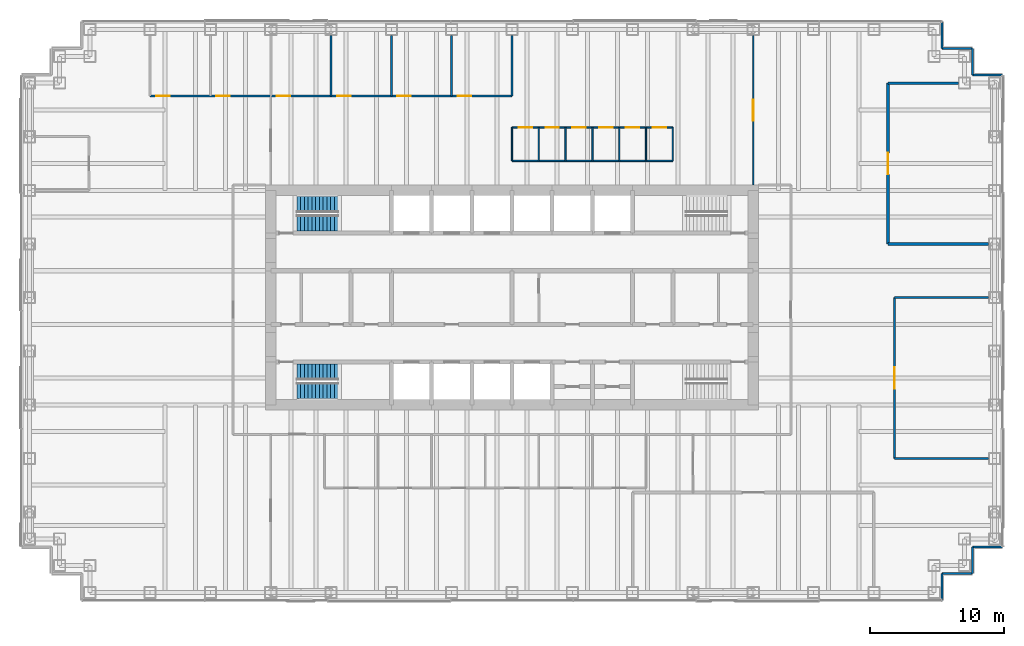
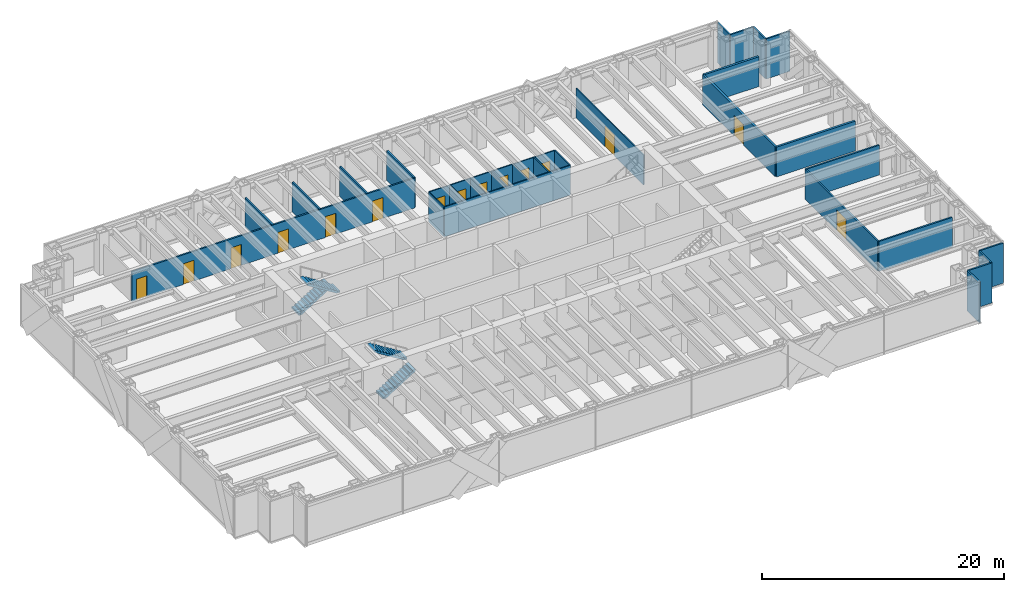
# One storey, part 13 of 15: 29 walls, 15 doors, 4 stair flights, 15 openings, 2 elements without a shape of their own.
"""IFC4 building model written with IfcOpenShell, lengths in metres."""

import ifcopenshell
import ifcopenshell.guid

model = None  # the IFC model being written
_history = None  # IfcOwnerHistory: only IFC2X3 demands one
_inside = {}  # id of a spatial element -> (the spatial element, [elements in it])
_under = {}  # id of a project, library or spatial element -> (it, [spatial elements below it])
_declared = {}  # id of a project -> (the project, [libraries it declares])
_typed = {}  # id of a type object -> (the type object, [elements of that type])
_made_of = {}  # id of a material, layer set ... -> (it, [elements and type objects made of it])


def new_model(schema):
    """Start an empty IFC model of exactly this schema.

    Asked for "IFC4X3", IfcOpenShell would pick the latest addendum, in which some entities
    have other attributes; the version numbers below select the first issue.
    IFC2X3 requires an IfcOwnerHistory on every rooted entity: one is made here for all.
    """
    global model, _history
    if schema == "IFC4X3":
        model = ifcopenshell.file(schema_version=(4, 3, 0, 0))
    else:
        model = ifcopenshell.file(schema=schema)
    _inside.clear()
    _under.clear()
    _declared.clear()
    _typed.clear()
    _made_of.clear()
    _history = None
    if model.schema == "IFC2X3":
        org = make("IfcOrganization", Name="unknown")
        user = make(
            "IfcPersonAndOrganization",
            ThePerson=make("IfcPerson", FamilyName="unknown"),
            TheOrganization=org,
        )
        app = make(
            "IfcApplication",
            ApplicationDeveloper=org,
            Version="unknown",
            ApplicationFullName="unknown",
            ApplicationIdentifier="unknown",
        )
        _history = make(
            "IfcOwnerHistory",
            OwningUser=user,
            OwningApplication=app,
            ChangeAction="ADDED",
            CreationDate=0,
        )
    return model


def make(cls, **values):
    """One entity of the class cls with the attributes given. An attribute that is None is left unset."""
    return model.create_entity(
        cls, **{name: value for name, value in values.items() if value is not None}
    )


def rooted(cls, **values):
    """An entity with a GlobalId (a new one), such as an element, a storey or a relation."""
    return make(cls, GlobalId=ifcopenshell.guid.new(), OwnerHistory=_history, **values)


def si_unit(unit_type, name, prefix=None):
    """IfcSIUnit, for example si_unit("LENGTHUNIT", "METRE", prefix="MILLI")."""
    return make("IfcSIUnit", UnitType=unit_type, Prefix=prefix, Name=name)


def assignment(units):
    """IfcUnitAssignment: the units of a project."""
    return None if units is None else make("IfcUnitAssignment", Units=units)


def point(xyz):
    """IfcCartesianPoint."""
    return None if xyz is None else make("IfcCartesianPoint", Coordinates=xyz)


def direction(xyz):
    """IfcDirection."""
    return None if xyz is None else make("IfcDirection", DirectionRatios=xyz)


def frame(location, z_axis=None, x_axis=None):
    """IfcAxis2Placement3D, a coordinate frame: its origin and axes. An axis left out is left unset."""
    return make(
        "IfcAxis2Placement3D",
        Location=point(location),
        Axis=direction(z_axis),
        RefDirection=direction(x_axis),
    )


def frame_2d(location, x_axis=None):
    """IfcAxis2Placement2D, a coordinate frame in the plane: its origin and x axis."""
    return make(
        "IfcAxis2Placement2D", Location=point(location), RefDirection=direction(x_axis)
    )


def origin():
    """The frame at (0, 0, 0) with its axes left unset."""
    return frame((0.0, 0.0, 0.0))


def place(relative_to, where):
    """IfcLocalPlacement: puts the frame where relative to a parent placement (None: the world)."""
    return make(
        "IfcLocalPlacement", PlacementRelTo=relative_to, RelativePlacement=where
    )


def context(
    kind, dimensions, precision=None, world=None, true_north=None, identifier=None
):
    """IfcGeometricRepresentationContext, for example the 3D "Model" context."""
    return make(
        "IfcGeometricRepresentationContext",
        ContextIdentifier=identifier,
        ContextType=kind,
        CoordinateSpaceDimension=dimensions,
        Precision=precision,
        WorldCoordinateSystem=world,
        TrueNorth=true_north,
    )


def subcontext(parent, identifier, kind, view, scale=None):
    """IfcGeometricRepresentationSubContext, for example "Body" below "Model"."""
    return make(
        "IfcGeometricRepresentationSubContext",
        ContextIdentifier=identifier,
        ContextType=kind,
        ParentContext=parent,
        TargetScale=scale,
        TargetView=view,
    )


def project(units=None, contexts=None):
    """IfcProject with its units and contexts."""
    return rooted(
        "IfcProject",
        Name="project",
        RepresentationContexts=contexts,
        UnitsInContext=assignment(units),
    )


def spatial(cls, under=None, at=None, **own):
    """A site, building, storey or space (cls), placed at a placement, below another one or the project."""
    s = rooted(cls, ObjectPlacement=at, **own)
    if under is not None:
        _under.setdefault(under.id(), (under, []))[1].append(s)
    return s


def polyline(points):
    """IfcPolyline through the points."""
    return make("IfcPolyline", Points=[point(p) for p in points])


def profile(cls, at=None, kind="AREA", **sizes):
    """A parametric profile (cls). Its sizes go by their IFC names, for example OverallWidth=200.0."""
    return make(cls, ProfileType=kind, Position=at, **sizes)


def rectangle(**sizes):
    """IfcRectangleProfileDef."""
    return profile("IfcRectangleProfileDef", **sizes)


def outline(outer, holes=None, kind="AREA"):
    """IfcArbitraryClosedProfileDef: a profile drawn as a closed curve; with holes, ...WithVoids."""
    if holes is None:
        return make("IfcArbitraryClosedProfileDef", ProfileType=kind, OuterCurve=outer)
    return make(
        "IfcArbitraryProfileDefWithVoids",
        ProfileType=kind,
        OuterCurve=outer,
        InnerCurves=holes,
    )


def extrude(swept, where, along, depth):
    """IfcExtrudedAreaSolid: the profile swept, set in the frame where, extruded along a direction by depth."""
    return make(
        "IfcExtrudedAreaSolid",
        SweptArea=swept,
        Position=where,
        ExtrudedDirection=direction(along),
        Depth=depth,
    )


def shape(context_of_items, identifier, shape_type, items):
    """IfcShapeRepresentation: the items that make up one representation, for example the "Body"."""
    return make(
        "IfcShapeRepresentation",
        ContextOfItems=context_of_items,
        RepresentationIdentifier=identifier,
        RepresentationType=shape_type,
        Items=items,
    )


def material(Name=None, Category=None):
    """IfcMaterial."""
    return make("IfcMaterial", Name=Name, Category=Category)


def layer(
    of_material, thickness, ventilated=None, Name=None, Category=None, Priority=None
):
    """IfcMaterialLayer: one layer of a wall or slab, of a material (None: an air gap)."""
    return make(
        "IfcMaterialLayer",
        Material=of_material,
        LayerThickness=thickness,
        IsVentilated=ventilated,
        Name=Name,
        Category=Category,
        Priority=Priority,
    )


def layer_set(layers, Name=None):
    """IfcMaterialLayerSet."""
    return make("IfcMaterialLayerSet", MaterialLayers=layers, LayerSetName=Name)


def made_of(thing, what):
    """Note that an element or type object is made of a material, layer set ...; save() writes the relation."""
    if what is not None:
        _made_of.setdefault(what.id(), (what, []))[1].append(thing)
    return thing


def type_object(cls, material=None, **own):
    """A type object (cls), such as IfcWallType, which elements share."""
    return made_of(rooted(cls, **own), material)


def element(
    cls,
    number,
    at=None,
    inside=None,
    cuts=None,
    type_object=None,
    material=None,
    context=None,
    identifier="Body",
    shape_type=None,
    held_by="IfcProductDefinitionShape",
    body=None,
    shapes=None,
    **own,
):
    """One element of the class cls, such as IfcWall. Its Tag is "e" and its number.

    at: its placement. inside: the storey or other place that contains it. cuts: it is an
    opening in that element (IfcRelVoidsElement). A single representation is given by context,
    identifier, shape_type and body (its items); several are given by shapes. held_by: the class
    of the entity that holds the representations. save() writes the other relations.
    """
    e = rooted(cls, Tag="e%d" % number, ObjectPlacement=at, **own)
    if body is not None:
        shapes = [shape(context, identifier, shape_type, body)]
    if shapes is not None:
        e.Representation = make(held_by, Representations=shapes)
    if inside is not None:
        _inside.setdefault(inside.id(), (inside, []))[1].append(e)
    if cuts is not None:
        rooted(
            "IfcRelVoidsElement", RelatingBuildingElement=cuts, RelatedOpeningElement=e
        )
    if type_object is not None:
        _typed.setdefault(type_object.id(), (type_object, []))[1].append(e)
    return made_of(e, material)


def fill(opening, filler):
    """IfcRelFillsElement: the door or window that sits in an opening."""
    return rooted(
        "IfcRelFillsElement",
        RelatingOpeningElement=opening,
        RelatedBuildingElement=filler,
    )


def aggregate(whole, parts):
    """IfcRelAggregates: a whole, such as a stair, and the parts it consists of."""
    return rooted("IfcRelAggregates", RelatingObject=whole, RelatedObjects=parts)


def save(model, path):
    """Write the relations noted so far, then the file.

    IfcRelAggregates (storeys below a building ...), IfcRelContainedInSpatialStructure (elements
    in a storey), IfcRelDefinesByType, IfcRelAssociatesMaterial and IfcRelDeclares: one each for
    every whole, place, type object, material and project.
    """
    for whole, parts in _under.values():
        aggregate(whole, parts)
    for where, things in _inside.values():
        rooted(
            "IfcRelContainedInSpatialStructure",
            RelatedElements=things,
            RelatingStructure=where,
        )
    for kind, things in _typed.values():
        rooted("IfcRelDefinesByType", RelatedObjects=things, RelatingType=kind)
    for what, things in _made_of.values():
        rooted("IfcRelAssociatesMaterial", RelatedObjects=things, RelatingMaterial=what)
    for by, libraries in _declared.values():
        rooted("IfcRelDeclares", RelatingContext=by, RelatedDefinitions=libraries)
    model.write(path)


model = new_model("IFC4")

# Units and contexts
model_context = context("Model", 3, precision=1e-05, world=origin(), true_north=direction((0.0, 1.0)))
body_context = subcontext(model_context, "Body", "Model", "MODEL_VIEW")
ifc_project = project(units=[si_unit("LENGTHUNIT", "METRE"), si_unit("AREAUNIT", "SQUARE_METRE"), si_unit("VOLUMEUNIT", "CUBIC_METRE"), si_unit("PLANEANGLEUNIT", "RADIAN"), si_unit("MASSUNIT", "GRAM", prefix="KILO")], contexts=[model_context])

# Site, building, storey
site_placement = place(None, origin())
site = spatial("IfcSite", under=ifc_project, at=site_placement, CompositionType="ELEMENT")
building_placement = place(site_placement, origin())
building = spatial("IfcBuilding", under=site, at=building_placement, Name="Rheinbord Bourse Tower", CompositionType="ELEMENT")
storey_placement = place(building_placement, frame((0.0, 0.0, 257.199951171875)))
storey = spatial("IfcBuildingStorey", under=building, at=storey_placement, Name="L58", CompositionType="ELEMENT", Elevation=257.199951171875)

# Walls
ifc_material_1 = material(Name="Acoustic gypsum board partition", Category="gypsum board")
ifc_layer_1 = layer(ifc_material_1, 0.199951171875)
ifc_layer_set_1 = layer_set([ifc_layer_1], Name="ACOUSTIC PARTITION 200")
wall_type_1 = type_object("IfcWallType", Name="ACOUSTIC PARTITION 200", PredefinedType="PARTITIONING", material=ifc_layer_set_1)
wall_1_placement = place(storey_placement, frame((64.050048828125, 28.0, 0.0), z_axis=(0.0, 0.0, 1.0), x_axis=(1.0, 0.0, 0.0)))
element("IfcWall", 1, at=wall_1_placement, inside=storey, type_object=wall_type_1, Name="Partition L58-06", PredefinedType="PARTITIONING", context=body_context, shape_type="SweptSolid", body=[
    extrude(rectangle(XDim=7.5, YDim=0.199951171875, at=frame_2d((3.75, 0.0))), origin(), (0.0, 0.0, 1.0), 3.0),
])
wall_2_placement = place(storey_placement, frame((64.050048828125, 40.0, 0.0), z_axis=(0.0, 0.0, 1.0), x_axis=(1.0, 0.0, 0.0)))
element("IfcWall", 2, at=wall_2_placement, inside=storey, type_object=wall_type_1, Name="Partition L58-14", PredefinedType="PARTITIONING", context=body_context, shape_type="SweptSolid", body=[
    extrude(rectangle(XDim=5.25, YDim=0.199951171875, at=frame_2d((2.625, 0.0))), origin(), (0.0, 0.0, 1.0), 3.0),
])

# Wall, opening, door
wall_3_placement = place(storey_placement, frame((64.050048828125, 28.0, 0.0), z_axis=(0.0, 0.0, 1.0), x_axis=(0.0, 1.0, 0.0)))
wall_3 = element("IfcWall", 3, at=wall_3_placement, inside=storey, type_object=wall_type_1, Name="Partition L58-45", PredefinedType="PARTITIONING", context=body_context, shape_type="SweptSolid", body=[
    extrude(rectangle(XDim=12.0, YDim=0.199951171875, at=frame_2d((6.0, 0.0))), origin(), (0.0, 0.0, 1.0), 3.0),
])
opening_1_placement = place(wall_3_placement, frame((5.199951171875, 0.0, 0.0)))
opening_1 = element("IfcOpeningElement", 4, at=opening_1_placement, cuts=wall_3, Name="Opening 58D10", PredefinedType="OPENING", context=body_context, shape_type="SweptSolid", body=[
    extrude(rectangle(XDim=1.60009765625, YDim=2.10009765625, at=frame_2d((0.800048828125, 1.050048828125))), frame((0.0, 0.10986328125, 0.0), z_axis=(0.0, -1.0, 0.0), x_axis=(1.0, 0.0, 0.0)), (0.0, 0.0, 1.0), 0.219970703125),
])
ifc_material_2 = material(Name="Timber door", Category="wood")
door_type_1 = type_object("IfcDoorType", Name="DOUBLE ROOM DOOR 1600", OperationType="DOUBLE_DOOR_DOUBLE_SWING", PredefinedType="DOOR", material=ifc_material_2)
door_1_placement = place(opening_1_placement, origin())
door_1 = element("IfcDoor", 5, at=door_1_placement, inside=storey, type_object=door_type_1, Name="Conference room door L58", OperationType="SINGLE_SWING_LEFT", OverallHeight=2.10009765625, OverallWidth=1.60009765625, PredefinedType="DOOR", context=body_context, shape_type="SweptSolid", body=[
    extrude(rectangle(XDim=1.60009765625, YDim=2.10009765625, at=frame_2d((0.800048828125, 1.050048828125))), frame((0.0, 0.02490234375, 0.0), z_axis=(0.0, -1.0, 0.0), x_axis=(1.0, 0.0, 0.0)), (0.0, 0.0, 1.0), 0.050048828125),
])
fill(opening_1, door_1)

# Walls
ifc_material_3 = material(Name="Black metal rainscreen panel", Category="aluminium")
ifc_layer_2 = layer(ifc_material_3, 0.14990234375)
ifc_layer_set_2 = layer_set([ifc_layer_2], Name="CORNER PIER CLADDING 150")
wall_type_2 = type_object("IfcWallType", Name="CORNER PIER CLADDING 150", PredefinedType="ELEMENTEDWALL", material=ifc_layer_set_2)
wall_4_placement = place(storey_placement, frame((68.10009765625, 1.39990234375, 0.0), z_axis=(0.0, 0.0, 1.0), x_axis=(0.0, 1.0, 0.0)))
element("IfcWall", 6, at=wall_4_placement, inside=storey, type_object=wall_type_2, Name="Corner pier cladding L58 2", PredefinedType="ELEMENTEDWALL", context=body_context, shape_type="SweptSolid", body=[
    extrude(rectangle(XDim=2.0, YDim=0.14990234375, at=frame_2d((1.0, 0.0))), origin(), (0.0, 0.0, 1.0), 4.0400390625),
])
wall_5_placement = place(storey_placement, frame((68.10009765625, 3.39990234375, 0.0), z_axis=(0.0, 0.0, 1.0), x_axis=(1.0, 0.0, 0.0)))
element("IfcWall", 7, at=wall_5_placement, inside=storey, type_object=wall_type_2, Name="Corner pier cladding L58 3", PredefinedType="ELEMENTEDWALL", context=body_context, shape_type="SweptSolid", body=[
    extrude(rectangle(XDim=2.25, YDim=0.14990234375, at=frame_2d((1.125, 0.0))), origin(), (0.0, 0.0, 1.0), 4.0400390625),
])
wall_6_placement = place(storey_placement, frame((70.35009765625, 3.39990234375, 0.0), z_axis=(0.0, 0.0, 1.0), x_axis=(0.0, 1.0, 0.0)))
element("IfcWall", 8, at=wall_6_placement, inside=storey, type_object=wall_type_2, Name="Corner pier cladding L58 4", PredefinedType="ELEMENTEDWALL", context=body_context, shape_type="SweptSolid", body=[
    extrude(rectangle(XDim=2.0, YDim=0.14990234375, at=frame_2d((1.0, 0.0))), origin(), (0.0, 0.0, 1.0), 4.0400390625),
])
for number, where, z_axis, x_axis, name in (
    (9, (70.35009765625, 5.39990234375, 0.0), (0.0, 0.0, 1.0), (1.0, 0.0, 0.0), "Corner pier cladding L58 5"),
    (10, (72.60009765625, 40.60009765625, 0.0), (0.0, 0.0, 1.0), (-1.0, 0.0, 0.0), "Corner pier cladding L58 7"),
):
    element("IfcWall", number, at=place(storey_placement, frame(where, z_axis=z_axis, x_axis=x_axis)), inside=storey, type_object=wall_type_2, Name=name, PredefinedType="ELEMENTEDWALL", context=body_context, shape_type="SweptSolid", body=[
        extrude(rectangle(XDim=2.25, YDim=0.14990234375, at=frame_2d((1.125, 0.0))), origin(), (0.0, 0.0, 1.0), 4.0400390625),
    ])
wall_7_placement = place(storey_placement, frame((70.35009765625, 40.60009765625, 0.0), z_axis=(0.0, 0.0, 1.0), x_axis=(0.0, 1.0, 0.0)))
element("IfcWall", 11, at=wall_7_placement, inside=storey, type_object=wall_type_2, Name="Corner pier cladding L58 8", PredefinedType="ELEMENTEDWALL", context=body_context, shape_type="SweptSolid", body=[
    extrude(rectangle(XDim=2.0, YDim=0.14990234375, at=frame_2d((1.0, 0.0))), origin(), (0.0, 0.0, 1.0), 4.0400390625),
])
wall_8_placement = place(storey_placement, frame((70.35009765625, 42.60009765625, 0.0), z_axis=(0.0, 0.0, 1.0), x_axis=(-1.0, 0.0, 0.0)))
element("IfcWall", 12, at=wall_8_placement, inside=storey, type_object=wall_type_2, Name="Corner pier cladding L58 9", PredefinedType="ELEMENTEDWALL", context=body_context, shape_type="SweptSolid", body=[
    extrude(rectangle(XDim=2.25, YDim=0.14990234375, at=frame_2d((1.125, 0.0))), origin(), (0.0, 0.0, 1.0), 4.0400390625),
])
wall_9_placement = place(storey_placement, frame((68.10009765625, 42.60009765625, 0.0), z_axis=(0.0, 0.0, 1.0), x_axis=(0.0, 1.0, 0.0)))
element("IfcWall", 13, at=wall_9_placement, inside=storey, type_object=wall_type_2, Name="Corner pier cladding L58 10", PredefinedType="ELEMENTEDWALL", context=body_context, shape_type="SweptSolid", body=[
    extrude(rectangle(XDim=2.0, YDim=0.14990234375, at=frame_2d((1.0, 0.0))), origin(), (0.0, 0.0, 1.0), 4.0400390625),
])
ifc_material_4 = material(Name="Toughened laminated glass partition", Category="glass")
ifc_layer_3 = layer(ifc_material_4, 0.10009765625)
ifc_layer_set_3 = layer_set([ifc_layer_3], Name="GLAZED PARTITION 100")
wall_type_3 = type_object("IfcWallType", Name="GLAZED PARTITION 100", PredefinedType="PARTITIONING", material=ifc_layer_set_3)
wall_10_placement = place(storey_placement, frame((36.0, 34.199951171875, 0.0), z_axis=(0.0, 0.0, 1.0), x_axis=(1.0, 0.0, 0.0)))
element("IfcWall", 14, at=wall_10_placement, inside=storey, type_object=wall_type_3, Name="Partition L58-10", PredefinedType="PARTITIONING", context=body_context, shape_type="SweptSolid", body=[
    extrude(rectangle(XDim=12.0, YDim=0.10009765625, at=frame_2d((6.0, 0.0))), origin(), (0.0, 0.0, 1.0), 3.0),
])

# Wall, openings, doors
wall_11_placement = place(storey_placement, frame((36.0, 36.699951171875, 0.0), z_axis=(0.0, 0.0, 1.0), x_axis=(1.0, 0.0, 0.0)))
wall_11 = element("IfcWall", 15, at=wall_11_placement, inside=storey, type_object=wall_type_3, Name="Partition L58-12", PredefinedType="PARTITIONING", context=body_context, shape_type="SweptSolid", body=[
    extrude(rectangle(XDim=12.0, YDim=0.10009765625, at=frame_2d((6.0, 0.0))), origin(), (0.0, 0.0, 1.0), 3.0),
])
opening_2_placement = place(wall_11_placement, frame((0.5, 0.0, 0.0)))
opening_2 = element("IfcOpeningElement", 16, at=opening_2_placement, cuts=wall_11, Name="Opening 58D11", PredefinedType="OPENING", context=body_context, shape_type="SweptSolid", body=[
    extrude(rectangle(XDim=1.0, YDim=2.10009765625, at=frame_2d((0.5, 1.050048828125))), frame((0.0, 0.06005859375, 0.0), z_axis=(0.0, -1.0, 0.0), x_axis=(1.0, 0.0, 0.0)), (0.0, 0.0, 1.0), 0.1201171875),
])
opening_3_placement = place(wall_11_placement, frame((2.5, 0.0, 0.0)))
opening_3 = element("IfcOpeningElement", 17, at=opening_3_placement, cuts=wall_11, Name="Opening 58D12", PredefinedType="OPENING", context=body_context, shape_type="SweptSolid", body=[
    extrude(rectangle(XDim=1.0, YDim=2.10009765625, at=frame_2d((0.5, 1.050048828125))), frame((0.0, 0.06005859375, 0.0), z_axis=(0.0, -1.0, 0.0), x_axis=(1.0, 0.0, 0.0)), (0.0, 0.0, 1.0), 0.1201171875),
])
opening_4_placement = place(wall_11_placement, frame((4.5, 0.0, 0.0)))
opening_4 = element("IfcOpeningElement", 18, at=opening_4_placement, cuts=wall_11, Name="Opening 58D13", PredefinedType="OPENING", context=body_context, shape_type="SweptSolid", body=[
    extrude(rectangle(XDim=1.0, YDim=2.10009765625, at=frame_2d((0.5, 1.050048828125))), frame((0.0, 0.06005859375, 0.0), z_axis=(0.0, -1.0, 0.0), x_axis=(1.0, 0.0, 0.0)), (0.0, 0.0, 1.0), 0.1201171875),
])
opening_5_placement = place(wall_11_placement, frame((6.5, 0.0, 0.0)))
opening_5 = element("IfcOpeningElement", 19, at=opening_5_placement, cuts=wall_11, Name="Opening 58D14", PredefinedType="OPENING", context=body_context, shape_type="SweptSolid", body=[
    extrude(rectangle(XDim=1.0, YDim=2.10009765625, at=frame_2d((0.5, 1.050048828125))), frame((0.0, 0.06005859375, 0.0), z_axis=(0.0, -1.0, 0.0), x_axis=(1.0, 0.0, 0.0)), (0.0, 0.0, 1.0), 0.1201171875),
])
opening_6_placement = place(wall_11_placement, frame((8.5, 0.0, 0.0)))
opening_6 = element("IfcOpeningElement", 20, at=opening_6_placement, cuts=wall_11, Name="Opening 58D15", PredefinedType="OPENING", context=body_context, shape_type="SweptSolid", body=[
    extrude(rectangle(XDim=1.0, YDim=2.10009765625, at=frame_2d((0.5, 1.050048828125))), frame((0.0, 0.06005859375, 0.0), z_axis=(0.0, -1.0, 0.0), x_axis=(1.0, 0.0, 0.0)), (0.0, 0.0, 1.0), 0.1201171875),
])
opening_7_placement = place(wall_11_placement, frame((10.5, 0.0, 0.0)))
opening_7 = element("IfcOpeningElement", 21, at=opening_7_placement, cuts=wall_11, Name="Opening 58D16", PredefinedType="OPENING", context=body_context, shape_type="SweptSolid", body=[
    extrude(rectangle(XDim=1.0, YDim=2.10009765625, at=frame_2d((0.5, 1.050048828125))), frame((0.0, 0.06005859375, 0.0), z_axis=(0.0, -1.0, 0.0), x_axis=(1.0, 0.0, 0.0)), (0.0, 0.0, 1.0), 0.1201171875),
])
ifc_material_5 = material(Name="Timber door", Category="wood")
door_type_2 = type_object("IfcDoorType", Name="ROOM DOOR 1000", OperationType="SINGLE_SWING_LEFT", PredefinedType="DOOR", material=ifc_material_5)
door_2_placement = place(opening_2_placement, origin())
door_2 = element("IfcDoor", 22, at=door_2_placement, inside=storey, type_object=door_type_2, Name="Phone room door L58", OperationType="SINGLE_SWING_LEFT", OverallHeight=2.10009765625, OverallWidth=1.0, PredefinedType="DOOR", context=body_context, shape_type="SweptSolid", body=[
    extrude(rectangle(XDim=1.0, YDim=2.10009765625, at=frame_2d((0.5, 1.050048828125))), frame((0.0, 0.02490234375, 0.0), z_axis=(0.0, -1.0, 0.0), x_axis=(1.0, 0.0, 0.0)), (0.0, 0.0, 1.0), 0.050048828125),
])
fill(opening_2, door_2)
door_3_placement = place(opening_3_placement, origin())
door_3 = element("IfcDoor", 23, at=door_3_placement, inside=storey, type_object=door_type_2, Name="Phone room door L58", OperationType="SINGLE_SWING_LEFT", OverallHeight=2.10009765625, OverallWidth=1.0, PredefinedType="DOOR", context=body_context, shape_type="SweptSolid", body=[
    extrude(rectangle(XDim=1.0, YDim=2.10009765625, at=frame_2d((0.5, 1.050048828125))), frame((0.0, 0.02490234375, 0.0), z_axis=(0.0, -1.0, 0.0), x_axis=(1.0, 0.0, 0.0)), (0.0, 0.0, 1.0), 0.050048828125),
])
fill(opening_3, door_3)
door_4_placement = place(opening_4_placement, origin())
door_4 = element("IfcDoor", 24, at=door_4_placement, inside=storey, type_object=door_type_2, Name="Phone room door L58", OperationType="SINGLE_SWING_LEFT", OverallHeight=2.10009765625, OverallWidth=1.0, PredefinedType="DOOR", context=body_context, shape_type="SweptSolid", body=[
    extrude(rectangle(XDim=1.0, YDim=2.10009765625, at=frame_2d((0.5, 1.050048828125))), frame((0.0, 0.02490234375, 0.0), z_axis=(0.0, -1.0, 0.0), x_axis=(1.0, 0.0, 0.0)), (0.0, 0.0, 1.0), 0.050048828125),
])
fill(opening_4, door_4)
door_5_placement = place(opening_5_placement, origin())
door_5 = element("IfcDoor", 25, at=door_5_placement, inside=storey, type_object=door_type_2, Name="Phone room door L58", OperationType="SINGLE_SWING_RIGHT", OverallHeight=2.10009765625, OverallWidth=1.0, PredefinedType="DOOR", context=body_context, shape_type="SweptSolid", body=[
    extrude(rectangle(XDim=1.0, YDim=2.10009765625, at=frame_2d((0.5, 1.050048828125))), frame((0.0, 0.02490234375, 0.0), z_axis=(0.0, -1.0, 0.0), x_axis=(1.0, 0.0, 0.0)), (0.0, 0.0, 1.0), 0.050048828125),
])
fill(opening_5, door_5)
door_6_placement = place(opening_6_placement, origin())
door_6 = element("IfcDoor", 26, at=door_6_placement, inside=storey, type_object=door_type_2, Name="Phone room door L58", OperationType="SINGLE_SWING_RIGHT", OverallHeight=2.10009765625, OverallWidth=1.0, PredefinedType="DOOR", context=body_context, shape_type="SweptSolid", body=[
    extrude(rectangle(XDim=1.0, YDim=2.10009765625, at=frame_2d((0.5, 1.050048828125))), frame((0.0, 0.02490234375, 0.0), z_axis=(0.0, -1.0, 0.0), x_axis=(1.0, 0.0, 0.0)), (0.0, 0.0, 1.0), 0.050048828125),
])
fill(opening_6, door_6)
door_7_placement = place(opening_7_placement, origin())
door_7 = element("IfcDoor", 27, at=door_7_placement, inside=storey, type_object=door_type_2, Name="Phone room door L58", OperationType="SINGLE_SWING_RIGHT", OverallHeight=2.10009765625, OverallWidth=1.0, PredefinedType="DOOR", context=body_context, shape_type="SweptSolid", body=[
    extrude(rectangle(XDim=1.0, YDim=2.10009765625, at=frame_2d((0.5, 1.050048828125))), frame((0.0, 0.02490234375, 0.0), z_axis=(0.0, -1.0, 0.0), x_axis=(1.0, 0.0, 0.0)), (0.0, 0.0, 1.0), 0.050048828125),
])
fill(opening_7, door_7)

# Walls
for number, where, z_axis, x_axis, name in (
    (28, (36.0, 34.199951171875, 0.0), (0.0, 0.0, 1.0), (0.0, 1.0, 0.0), "Partition L58-29"),
    (29, (38.0, 34.199951171875, 0.0), (0.0, 0.0, 1.0), (0.0, 1.0, 0.0), "Partition L58-32"),
    (30, (40.0, 34.199951171875, 0.0), (0.0, 0.0, 1.0), (0.0, 1.0, 0.0), "Partition L58-33"),
    (31, (42.0, 34.199951171875, 0.0), (0.0, 0.0, 1.0), (0.0, 1.0, 0.0), "Partition L58-35"),
    (32, (44.0, 34.199951171875, 0.0), (0.0, 0.0, 1.0), (0.0, 1.0, 0.0), "Partition L58-36"),
    (33, (46.0, 34.199951171875, 0.0), (0.0, 0.0, 1.0), (0.0, 1.0, 0.0), "Partition L58-39"),
    (34, (48.0, 34.199951171875, 0.0), (0.0, 0.0, 1.0), (0.0, 1.0, 0.0), "Partition L58-40"),
):
    element("IfcWall", number, at=place(storey_placement, frame(where, z_axis=z_axis, x_axis=x_axis)), inside=storey, type_object=wall_type_3, Name=name, PredefinedType="PARTITIONING", context=body_context, shape_type="SweptSolid", body=[
        extrude(rectangle(XDim=2.5, YDim=0.10009765625, at=frame_2d((1.25, 0.0))), origin(), (0.0, 0.0, 1.0), 3.0),
    ])

# Wall, opening, door
wall_12_placement = place(storey_placement, frame((54.0, 32.39990234375, 0.0), z_axis=(0.0, 0.0, 1.0), x_axis=(0.0, 1.0, 0.0)))
wall_12 = element("IfcWall", 35, at=wall_12_placement, inside=storey, type_object=wall_type_3, Name="Partition L58-42", PredefinedType="PARTITIONING", context=body_context, shape_type="SweptSolid", body=[
    extrude(rectangle(XDim=11.150146484375, YDim=0.10009765625, at=frame_2d((5.5751953125, 0.0))), origin(), (0.0, 0.0, 1.0), 3.0),
])
opening_8_placement = place(wall_12_placement, frame((4.77490234375, 0.0, 0.0)))
opening_8 = element("IfcOpeningElement", 36, at=opening_8_placement, cuts=wall_12, Name="Opening 58D26", PredefinedType="OPENING", context=body_context, shape_type="SweptSolid", body=[
    extrude(rectangle(XDim=1.60009765625, YDim=2.10009765625, at=frame_2d((0.800048828125, 1.050048828125))), frame((0.0, 0.06005859375, 0.0), z_axis=(0.0, -1.0, 0.0), x_axis=(1.0, 0.0, 0.0)), (0.0, 0.0, 1.0), 0.1201171875),
])
door_8_placement = place(opening_8_placement, origin())
door_8 = element("IfcDoor", 37, at=door_8_placement, inside=storey, type_object=door_type_1, Name="Open area door L58", OperationType="SINGLE_SWING_LEFT", OverallHeight=2.10009765625, OverallWidth=1.60009765625, PredefinedType="DOOR", context=body_context, shape_type="SweptSolid", body=[
    extrude(rectangle(XDim=1.60009765625, YDim=2.10009765625, at=frame_2d((0.800048828125, 1.050048828125))), frame((0.0, 0.02490234375, 0.0), z_axis=(0.0, -1.0, 0.0), x_axis=(1.0, 0.0, 0.0)), (0.0, 0.0, 1.0), 0.050048828125),
])
fill(opening_8, door_8)

# Walls
ifc_material_6 = material(Name="Gypsum board partition", Category="gypsum board")
ifc_layer_4 = layer(ifc_material_6, 0.14990234375)
ifc_layer_set_4 = layer_set([ifc_layer_4], Name="PARTITION 150")
wall_type_4 = type_object("IfcWallType", Name="PARTITION 150", PredefinedType="PARTITIONING", material=ifc_layer_set_4)
for number, where, z_axis, x_axis, name in (
    (38, (64.550048828125, 12.0, 0.0), (0.0, 0.0, 1.0), (1.0, 0.0, 0.0), "Partition L58-03"),
    (39, (64.550048828125, 24.0, 0.0), (0.0, 0.0, 1.0), (1.0, 0.0, 0.0), "Partition L58-05"),
):
    element("IfcWall", number, at=place(storey_placement, frame(where, z_axis=z_axis, x_axis=x_axis)), inside=storey, type_object=wall_type_4, Name=name, PredefinedType="PARTITIONING", context=body_context, shape_type="SweptSolid", body=[
        extrude(rectangle(XDim=7.0, YDim=0.14990234375, at=frame_2d((3.5, 0.0))), origin(), (0.0, 0.0, 1.0), 3.0),
    ])

# Wall, openings, doors
wall_13_placement = place(storey_placement, frame((9.0, 39.050048828125, 0.0), z_axis=(0.0, 0.0, 1.0), x_axis=(1.0, 0.0, 0.0)))
wall_13 = element("IfcWall", 40, at=wall_13_placement, inside=storey, type_object=wall_type_4, Name="Partition L58-13", PredefinedType="PARTITIONING", context=body_context, shape_type="SweptSolid", body=[
    extrude(rectangle(XDim=27.0, YDim=0.14990234375, at=frame_2d((13.5, 0.0))), origin(), (0.0, 0.0, 1.0), 3.0),
])
opening_9_placement = place(wall_13_placement, frame((0.449951171875, 0.0, 0.0)))
opening_9 = element("IfcOpeningElement", 41, at=opening_9_placement, cuts=wall_13, Name="Opening 58D17", PredefinedType="OPENING", context=body_context, shape_type="SweptSolid", body=[
    extrude(rectangle(XDim=1.0, YDim=2.10009765625, at=frame_2d((0.5, 1.050048828125))), frame((0.0, 0.0849609375, 0.0), z_axis=(0.0, -1.0, 0.0), x_axis=(1.0, 0.0, 0.0)), (0.0, 0.0, 1.0), 0.169921875),
])
opening_10_placement = place(wall_13_placement, frame((4.949951171875, 0.0, 0.0)))
opening_10 = element("IfcOpeningElement", 42, at=opening_10_placement, cuts=wall_13, Name="Opening 58D18", PredefinedType="OPENING", context=body_context, shape_type="SweptSolid", body=[
    extrude(rectangle(XDim=1.0, YDim=2.10009765625, at=frame_2d((0.5, 1.050048828125))), frame((0.0, 0.0849609375, 0.0), z_axis=(0.0, -1.0, 0.0), x_axis=(1.0, 0.0, 0.0)), (0.0, 0.0, 1.0), 0.169921875),
])
opening_11_placement = place(wall_13_placement, frame((9.449951171875, 0.0, 0.0)))
opening_11 = element("IfcOpeningElement", 43, at=opening_11_placement, cuts=wall_13, Name="Opening 58D19", PredefinedType="OPENING", context=body_context, shape_type="SweptSolid", body=[
    extrude(rectangle(XDim=1.0, YDim=2.10009765625, at=frame_2d((0.5, 1.050048828125))), frame((0.0, 0.0849609375, 0.0), z_axis=(0.0, -1.0, 0.0), x_axis=(1.0, 0.0, 0.0)), (0.0, 0.0, 1.0), 0.169921875),
])
opening_12_placement = place(wall_13_placement, frame((13.949951171875, 0.0, 0.0)))
opening_12 = element("IfcOpeningElement", 44, at=opening_12_placement, cuts=wall_13, Name="Opening 58D20", PredefinedType="OPENING", context=body_context, shape_type="SweptSolid", body=[
    extrude(rectangle(XDim=1.0, YDim=2.10009765625, at=frame_2d((0.5, 1.050048828125))), frame((0.0, 0.0849609375, 0.0), z_axis=(0.0, -1.0, 0.0), x_axis=(1.0, 0.0, 0.0)), (0.0, 0.0, 1.0), 0.169921875),
])
opening_13_placement = place(wall_13_placement, frame((18.449951171875, 0.0, 0.0)))
opening_13 = element("IfcOpeningElement", 45, at=opening_13_placement, cuts=wall_13, Name="Opening 58D21", PredefinedType="OPENING", context=body_context, shape_type="SweptSolid", body=[
    extrude(rectangle(XDim=1.0, YDim=2.10009765625, at=frame_2d((0.5, 1.050048828125))), frame((0.0, 0.0849609375, 0.0), z_axis=(0.0, -1.0, 0.0), x_axis=(1.0, 0.0, 0.0)), (0.0, 0.0, 1.0), 0.169921875),
])
opening_14_placement = place(wall_13_placement, frame((22.949951171875, 0.0, 0.0)))
opening_14 = element("IfcOpeningElement", 46, at=opening_14_placement, cuts=wall_13, Name="Opening 58D22", PredefinedType="OPENING", context=body_context, shape_type="SweptSolid", body=[
    extrude(rectangle(XDim=1.0, YDim=2.10009765625, at=frame_2d((0.5, 1.050048828125))), frame((0.0, 0.0849609375, 0.0), z_axis=(0.0, -1.0, 0.0), x_axis=(1.0, 0.0, 0.0)), (0.0, 0.0, 1.0), 0.169921875),
])
door_9_placement = place(opening_9_placement, origin())
door_9 = element("IfcDoor", 47, at=door_9_placement, inside=storey, type_object=door_type_2, Name="Office door L58", OperationType="SINGLE_SWING_LEFT", OverallHeight=2.10009765625, OverallWidth=1.0, PredefinedType="DOOR", context=body_context, shape_type="SweptSolid", body=[
    extrude(rectangle(XDim=1.0, YDim=2.10009765625, at=frame_2d((0.5, 1.050048828125))), frame((0.0, 0.02490234375, 0.0), z_axis=(0.0, -1.0, 0.0), x_axis=(1.0, 0.0, 0.0)), (0.0, 0.0, 1.0), 0.050048828125),
])
fill(opening_9, door_9)
door_10_placement = place(opening_10_placement, origin())
door_10 = element("IfcDoor", 48, at=door_10_placement, inside=storey, type_object=door_type_2, Name="Office door L58", OperationType="SINGLE_SWING_LEFT", OverallHeight=2.10009765625, OverallWidth=1.0, PredefinedType="DOOR", context=body_context, shape_type="SweptSolid", body=[
    extrude(rectangle(XDim=1.0, YDim=2.10009765625, at=frame_2d((0.5, 1.050048828125))), frame((0.0, 0.02490234375, 0.0), z_axis=(0.0, -1.0, 0.0), x_axis=(1.0, 0.0, 0.0)), (0.0, 0.0, 1.0), 0.050048828125),
])
fill(opening_10, door_10)
door_11_placement = place(opening_11_placement, origin())
door_11 = element("IfcDoor", 49, at=door_11_placement, inside=storey, type_object=door_type_2, Name="Office door L58", OperationType="SINGLE_SWING_LEFT", OverallHeight=2.10009765625, OverallWidth=1.0, PredefinedType="DOOR", context=body_context, shape_type="SweptSolid", body=[
    extrude(rectangle(XDim=1.0, YDim=2.10009765625, at=frame_2d((0.5, 1.050048828125))), frame((0.0, 0.02490234375, 0.0), z_axis=(0.0, -1.0, 0.0), x_axis=(1.0, 0.0, 0.0)), (0.0, 0.0, 1.0), 0.050048828125),
])
fill(opening_11, door_11)
door_12_placement = place(opening_12_placement, origin())
door_12 = element("IfcDoor", 50, at=door_12_placement, inside=storey, type_object=door_type_2, Name="Office door L58", OperationType="SINGLE_SWING_RIGHT", OverallHeight=2.10009765625, OverallWidth=1.0, PredefinedType="DOOR", context=body_context, shape_type="SweptSolid", body=[
    extrude(rectangle(XDim=1.0, YDim=2.10009765625, at=frame_2d((0.5, 1.050048828125))), frame((0.0, 0.02490234375, 0.0), z_axis=(0.0, -1.0, 0.0), x_axis=(1.0, 0.0, 0.0)), (0.0, 0.0, 1.0), 0.050048828125),
])
fill(opening_12, door_12)
door_13_placement = place(opening_13_placement, origin())
door_13 = element("IfcDoor", 51, at=door_13_placement, inside=storey, type_object=door_type_2, Name="Office door L58", OperationType="SINGLE_SWING_RIGHT", OverallHeight=2.10009765625, OverallWidth=1.0, PredefinedType="DOOR", context=body_context, shape_type="SweptSolid", body=[
    extrude(rectangle(XDim=1.0, YDim=2.10009765625, at=frame_2d((0.5, 1.050048828125))), frame((0.0, 0.02490234375, 0.0), z_axis=(0.0, -1.0, 0.0), x_axis=(1.0, 0.0, 0.0)), (0.0, 0.0, 1.0), 0.050048828125),
])
fill(opening_13, door_13)
door_14_placement = place(opening_14_placement, origin())
door_14 = element("IfcDoor", 52, at=door_14_placement, inside=storey, type_object=door_type_2, Name="Office door L58", OperationType="SINGLE_SWING_RIGHT", OverallHeight=2.10009765625, OverallWidth=1.0, PredefinedType="DOOR", context=body_context, shape_type="SweptSolid", body=[
    extrude(rectangle(XDim=1.0, YDim=2.10009765625, at=frame_2d((0.5, 1.050048828125))), frame((0.0, 0.02490234375, 0.0), z_axis=(0.0, -1.0, 0.0), x_axis=(1.0, 0.0, 0.0)), (0.0, 0.0, 1.0), 0.050048828125),
])
fill(opening_14, door_14)

# Walls
for number, where, z_axis, x_axis, name in (
    (53, (22.5, 39.050048828125, 0.0), (0.0, 0.0, 1.0), (0.0, 1.0, 0.0), "Partition L58-23"),
    (54, (27.0, 39.050048828125, 0.0), (0.0, 0.0, 1.0), (0.0, 1.0, 0.0), "Partition L58-25"),
    (55, (31.5, 39.050048828125, 0.0), (0.0, 0.0, 1.0), (0.0, 1.0, 0.0), "Partition L58-27"),
    (56, (36.0, 39.050048828125, 0.0), (0.0, 0.0, 1.0), (0.0, 1.0, 0.0), "Partition L58-30"),
):
    element("IfcWall", number, at=place(storey_placement, frame(where, z_axis=z_axis, x_axis=x_axis)), inside=storey, type_object=wall_type_4, Name=name, PredefinedType="PARTITIONING", context=body_context, shape_type="SweptSolid", body=[
        extrude(rectangle(XDim=4.5, YDim=0.14990234375, at=frame_2d((2.25, 0.0))), origin(), (0.0, 0.0, 1.0), 3.0),
    ])

# Wall, opening, door
wall_14_placement = place(storey_placement, frame((64.550048828125, 12.0, 0.0), z_axis=(0.0, 0.0, 1.0), x_axis=(0.0, 1.0, 0.0)))
wall_14 = element("IfcWall", 57, at=wall_14_placement, inside=storey, type_object=wall_type_4, Name="Partition L58-46", PredefinedType="PARTITIONING", context=body_context, shape_type="SweptSolid", body=[
    extrude(rectangle(XDim=12.0, YDim=0.14990234375, at=frame_2d((6.0, 0.0))), origin(), (0.0, 0.0, 1.0), 3.0),
])
opening_15_placement = place(wall_14_placement, frame((5.199951171875, 0.0, 0.0)))
opening_15 = element("IfcOpeningElement", 58, at=opening_15_placement, cuts=wall_14, Name="Opening 58D08", PredefinedType="OPENING", context=body_context, shape_type="SweptSolid", body=[
    extrude(rectangle(XDim=1.60009765625, YDim=2.10009765625, at=frame_2d((0.800048828125, 1.050048828125))), frame((0.0, 0.0849609375, 0.0), z_axis=(0.0, -1.0, 0.0), x_axis=(1.0, 0.0, 0.0)), (0.0, 0.0, 1.0), 0.169921875),
])
door_15_placement = place(opening_15_placement, origin())
door_15 = element("IfcDoor", 59, at=door_15_placement, inside=storey, type_object=door_type_1, Name="Kitchen door L58", OperationType="SINGLE_SWING_LEFT", OverallHeight=2.10009765625, OverallWidth=1.60009765625, PredefinedType="DOOR", context=body_context, shape_type="SweptSolid", body=[
    extrude(rectangle(XDim=1.60009765625, YDim=2.10009765625, at=frame_2d((0.800048828125, 1.050048828125))), frame((0.0, 0.02490234375, 0.0), z_axis=(0.0, -1.0, 0.0), x_axis=(1.0, 0.0, 0.0)), (0.0, 0.0, 1.0), 0.050048828125),
])
fill(opening_15, door_15)

# Stair, stair flights
ifc_material_7 = material(Name="Concrete C30/37", Category="concrete")
stair_type = type_object("IfcStairType", Name="CORE STAIR HALF TURN 4200", PredefinedType="HALF_TURN_STAIR", material=ifc_material_7)
stair_1_placement = place(storey_placement, origin())
stair_1 = element("IfcStair", 60, at=stair_1_placement, inside=storey, type_object=stair_type, Name="Stair ST1 L58, type CS6", PredefinedType="HALF_TURN_STAIR")
ifc_material_8 = material(Name="Concrete C30/37", Category="concrete")
stair_flight_type = type_object("IfcStairFlightType", Name="CORE STAIR FLIGHT 1200, 12 RISERS", PredefinedType="STRAIGHT", material=ifc_material_8)
stair_flight_1_placement = place(storey_placement, frame((19.949951171875, 17.050048828125, 0.0), z_axis=(0.0, 0.0, 1.0), x_axis=(1.0, 0.0, 0.0)))
stair_flight_1 = element("IfcStairFlight", 61, at=stair_flight_1_placement, type_object=stair_flight_type, Name="STAIR L58 ST1 F1", NumberOfRisers=12, NumberOfTreads=11, PredefinedType="STRAIGHT", RiserHeight=0.175, TreadLength=0.28, context=body_context, shape_type="SweptSolid", body=[
    extrude(outline(polyline([(0.0, 0.0), (0.0, 0.175048828125), (0.280029296875, 0.175048828125), (0.280029296875, 0.35009765625), (0.56005859375, 0.35009765625), (0.56005859375, 0.52490234375), (0.840087890625, 0.52490234375), (0.840087890625, 0.699951171875), (1.1201171875, 0.699951171875), (1.1201171875, 0.875), (1.39990234375, 0.875), (1.39990234375, 1.050048828125), (1.679931640625, 1.050048828125), (1.679931640625, 1.22509765625), (1.9599609375, 1.22509765625), (1.9599609375, 1.39990234375), (2.239990234375, 1.39990234375), (2.239990234375, 1.574951171875), (2.52001953125, 1.574951171875), (2.52001953125, 1.75), (2.800048828125, 1.75), (2.800048828125, 1.925048828125), (3.080078125, 1.925048828125), (3.080078125, 2.10009765625), (3.080078125, 1.748291015625), (0.28271484375, 0.0), (0.0, 0.0)])), frame((0.0, 0.60009765625, 0.0), z_axis=(0.0, -1.0, 0.0), x_axis=(1.0, 0.0, 0.0)), (0.0, 0.0, 1.0), 1.199951171875),
])
stair_flight_2_placement = place(storey_placement, frame((23.030029296875, 18.449951171875, 2.10009765625), z_axis=(0.0, 0.0, 1.0), x_axis=(-1.0, 0.0, 0.0)))
stair_flight_2 = element("IfcStairFlight", 62, at=stair_flight_2_placement, type_object=stair_flight_type, Name="STAIR L58 ST1 F2", NumberOfRisers=12, NumberOfTreads=11, PredefinedType="STRAIGHT", RiserHeight=0.175, TreadLength=0.28, context=body_context, shape_type="SweptSolid", body=[
    extrude(outline(polyline([(0.0, 0.0), (0.0, 0.175048828125), (0.280029296875, 0.175048828125), (0.280029296875, 0.35009765625), (0.56005859375, 0.35009765625), (0.56005859375, 0.52490234375), (0.840087890625, 0.52490234375), (0.840087890625, 0.699951171875), (1.1201171875, 0.699951171875), (1.1201171875, 0.875), (1.39990234375, 0.875), (1.39990234375, 1.050048828125), (1.679931640625, 1.050048828125), (1.679931640625, 1.22509765625), (1.9599609375, 1.22509765625), (1.9599609375, 1.39990234375), (2.239990234375, 1.39990234375), (2.239990234375, 1.574951171875), (2.52001953125, 1.574951171875), (2.52001953125, 1.75), (2.800048828125, 1.75), (2.800048828125, 1.925048828125), (3.080078125, 1.925048828125), (3.080078125, 2.10009765625), (3.080078125, 1.748291015625), (0.28271484375, 0.0), (0.0, 0.0)])), frame((0.0, 0.60009765625, 0.0), z_axis=(0.0, -1.0, 0.0), x_axis=(1.0, 0.0, 0.0)), (0.0, 0.0, 1.0), 1.199951171875),
])
aggregate(stair_1, [stair_flight_1, stair_flight_2])

stair_2_placement = place(storey_placement, origin())
stair_2 = element("IfcStair", 63, at=stair_2_placement, inside=storey, type_object=stair_type, Name="Stair ST2 L58, type CS6", PredefinedType="HALF_TURN_STAIR")
stair_flight_3_placement = place(storey_placement, frame((19.949951171875, 30.949951171875, 0.0), z_axis=(0.0, 0.0, 1.0), x_axis=(1.0, 0.0, 0.0)))
stair_flight_3 = element("IfcStairFlight", 64, at=stair_flight_3_placement, type_object=stair_flight_type, Name="STAIR L58 ST2 F1", NumberOfRisers=12, NumberOfTreads=11, PredefinedType="STRAIGHT", RiserHeight=0.175, TreadLength=0.28, context=body_context, shape_type="SweptSolid", body=[
    extrude(outline(polyline([(0.0, 0.0), (0.0, 0.175048828125), (0.280029296875, 0.175048828125), (0.280029296875, 0.35009765625), (0.56005859375, 0.35009765625), (0.56005859375, 0.52490234375), (0.840087890625, 0.52490234375), (0.840087890625, 0.699951171875), (1.1201171875, 0.699951171875), (1.1201171875, 0.875), (1.39990234375, 0.875), (1.39990234375, 1.050048828125), (1.679931640625, 1.050048828125), (1.679931640625, 1.22509765625), (1.9599609375, 1.22509765625), (1.9599609375, 1.39990234375), (2.239990234375, 1.39990234375), (2.239990234375, 1.574951171875), (2.52001953125, 1.574951171875), (2.52001953125, 1.75), (2.800048828125, 1.75), (2.800048828125, 1.925048828125), (3.080078125, 1.925048828125), (3.080078125, 2.10009765625), (3.080078125, 1.748291015625), (0.28271484375, 0.0), (0.0, 0.0)])), frame((0.0, 0.60009765625, 0.0), z_axis=(0.0, -1.0, 0.0), x_axis=(1.0, 0.0, 0.0)), (0.0, 0.0, 1.0), 1.199951171875),
])
stair_flight_4_placement = place(storey_placement, frame((23.030029296875, 29.550048828125, 2.10009765625), z_axis=(0.0, 0.0, 1.0), x_axis=(-1.0, 0.0, 0.0)))
stair_flight_4 = element("IfcStairFlight", 65, at=stair_flight_4_placement, type_object=stair_flight_type, Name="STAIR L58 ST2 F2", NumberOfRisers=12, NumberOfTreads=11, PredefinedType="STRAIGHT", RiserHeight=0.175, TreadLength=0.28, context=body_context, shape_type="SweptSolid", body=[
    extrude(outline(polyline([(0.0, 0.0), (0.0, 0.175048828125), (0.280029296875, 0.175048828125), (0.280029296875, 0.35009765625), (0.56005859375, 0.35009765625), (0.56005859375, 0.52490234375), (0.840087890625, 0.52490234375), (0.840087890625, 0.699951171875), (1.1201171875, 0.699951171875), (1.1201171875, 0.875), (1.39990234375, 0.875), (1.39990234375, 1.050048828125), (1.679931640625, 1.050048828125), (1.679931640625, 1.22509765625), (1.9599609375, 1.22509765625), (1.9599609375, 1.39990234375), (2.239990234375, 1.39990234375), (2.239990234375, 1.574951171875), (2.52001953125, 1.574951171875), (2.52001953125, 1.75), (2.800048828125, 1.75), (2.800048828125, 1.925048828125), (3.080078125, 1.925048828125), (3.080078125, 2.10009765625), (3.080078125, 1.748291015625), (0.28271484375, 0.0), (0.0, 0.0)])), frame((0.0, 0.60009765625, 0.0), z_axis=(0.0, -1.0, 0.0), x_axis=(1.0, 0.0, 0.0)), (0.0, 0.0, 1.0), 1.199951171875),
])
aggregate(stair_2, [stair_flight_3, stair_flight_4])

save(model, "model.ifc")
